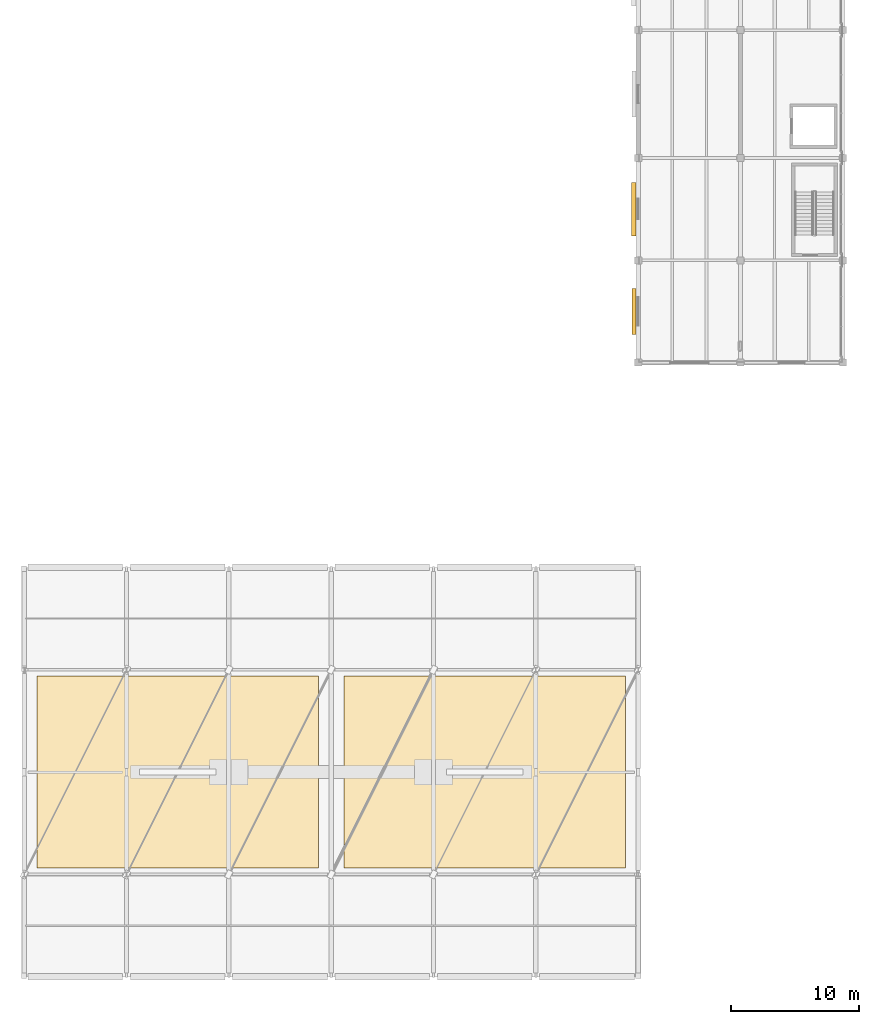
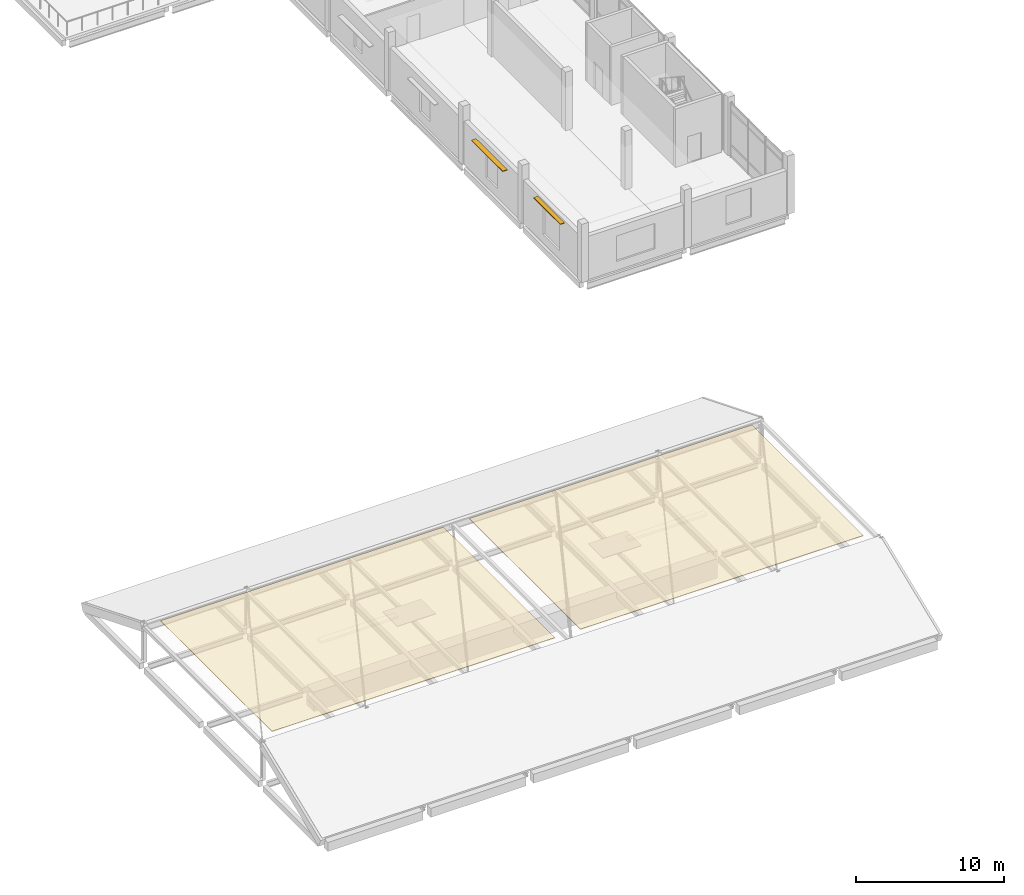
# One storey, part 38 of 47: 2 coverings, 2 shading devices.
"""IFC4 building model written with IfcOpenShell, lengths in metres."""

from ifc_helpers import new_model, si_unit, direction, frame, origin, origin_2d, place, context, subcontext, project, spatial, polyline, rectangle, outline, extrude, material, layer, layer_set, type_object, element, save


model = new_model("IFC4")

# Units and contexts
model_context = context("Model", 3, precision=1e-05, world=origin(), true_north=direction((0.0, 1.0)))
body_context = subcontext(model_context, "Body", "Model", "MODEL_VIEW")
ifc_project = project(units=[si_unit("LENGTHUNIT", "METRE"), si_unit("AREAUNIT", "SQUARE_METRE"), si_unit("VOLUMEUNIT", "CUBIC_METRE"), si_unit("PLANEANGLEUNIT", "RADIAN"), si_unit("MASSUNIT", "GRAM", prefix="KILO")], contexts=[model_context])

# Site, building, storey
site_placement = place(None, origin())
site = spatial("IfcSite", under=ifc_project, at=site_placement, CompositionType="ELEMENT")
building_placement = place(site_placement, origin())
building = spatial("IfcBuilding", under=site, at=building_placement, Name="Pecanmere Concourse Central Library", CompositionType="ELEMENT")
storey_placement = place(building_placement, frame((0.0, 0.0, 15.300048828125)))
storey = spatial("IfcBuildingStorey", under=building, at=storey_placement, Name="L04", CompositionType="ELEMENT", Elevation=15.300048828125)

# Coverings
ifc_material_1 = material(Name="Architectural standing-seam copper")
ifc_layer = layer(ifc_material_1, 0.034912109375, Name="COV_ROOF_COPPER")
ifc_layer_set = layer_set([ifc_layer], Name="Architectural standing-seam copper")
covering_type = type_object("IfcCoveringType", Name="COV_ROOF_COPPER", PredefinedType="ROOFING", material=ifc_layer_set)
covering_1_placement = place(storey_placement, frame((0.0, 0.0, 3.239990234375)))
element("IfcCovering", 1, at=covering_1_placement, inside=storey, type_object=covering_type, Name="Standing-Seam Copper Roof Membrane 01", PredefinedType="ROOFING", context=body_context, shape_type="SweptSolid", body=[
    extrude(outline(polyline([(1.0, 8.5), (23.0, 8.5), (23.0, 23.5), (1.0, 23.5), (1.0, 8.5)])), origin(), (0.0, 0.0, 1.0), 0.034912109375),
])
covering_2_placement = place(storey_placement, frame((0.0, 0.0, 3.239990234375)))
element("IfcCovering", 2, at=covering_2_placement, inside=storey, type_object=covering_type, Name="Standing-Seam Copper Roof Membrane 02", PredefinedType="ROOFING", context=body_context, shape_type="SweptSolid", body=[
    extrude(outline(polyline([(25.0, 8.5), (47.0, 8.5), (47.0, 23.5), (25.0, 23.5), (25.0, 8.5)])), origin(), (0.0, 0.0, 1.0), 0.034912109375),
])

# Shading devices
ifc_material_2 = material(Name="Architectural anodized bronze")
shading_device_type_1 = type_object("IfcShadingDeviceType", Name="SHD_BRISE_1", PredefinedType="AWNING", material=ifc_material_2)
shading_device_1_placement = place(storey_placement, frame((47.64501953125, 60.0, 3.0498046875), z_axis=(0.0, 0.0, 1.0), x_axis=(0.0, -1.0, 0.0)))
element("IfcShadingDevice", 3, at=shading_device_1_placement, inside=storey, type_object=shading_device_type_1, Name="Bronze Solar Brise-Soleil L04-060", PredefinedType="AWNING", context=body_context, shape_type="SweptSolid", body=[
    extrude(rectangle(XDim=4.199951171875, YDim=0.360107421875, at=origin_2d()), origin(), (0.0, 0.0, 1.0), 0.06005859375),
])
ifc_material_3 = material(Name="Architectural anodized bronze")
shading_device_type_2 = type_object("IfcShadingDeviceType", Name="SHD_BRISE_2", PredefinedType="AWNING", material=ifc_material_3)
shading_device_2_placement = place(storey_placement, frame((47.6650390625, 52.0, 3.3525390625), z_axis=(0.0, 0.0, 1.0), x_axis=(0.0, -1.0, 0.0)))
element("IfcShadingDevice", 4, at=shading_device_2_placement, inside=storey, type_object=shading_device_type_2, Name="Bronze Solar Brise-Soleil L04-059", PredefinedType="AWNING", context=body_context, shape_type="SweptSolid", body=[
    extrude(rectangle(XDim=3.60009765625, YDim=0.320068359375, at=origin_2d()), origin(), (0.0, 0.0, 1.0), 0.054931640625),
])

save(model, "model.ifc")
